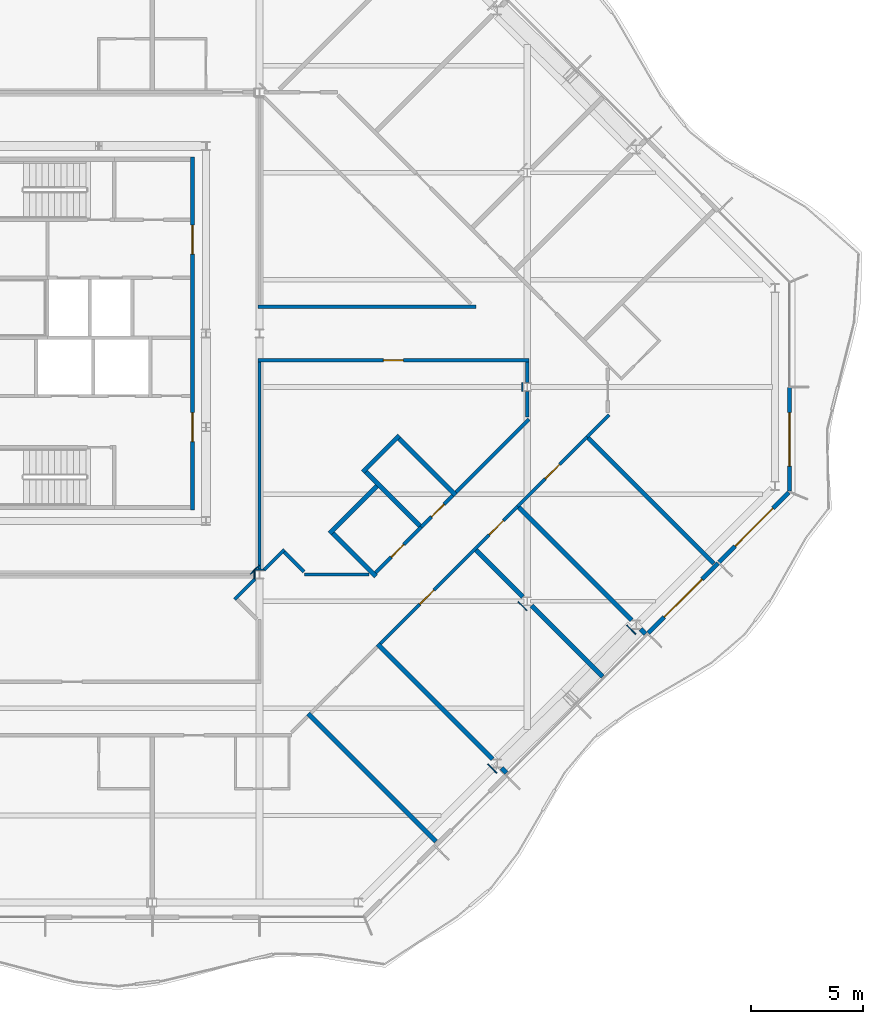
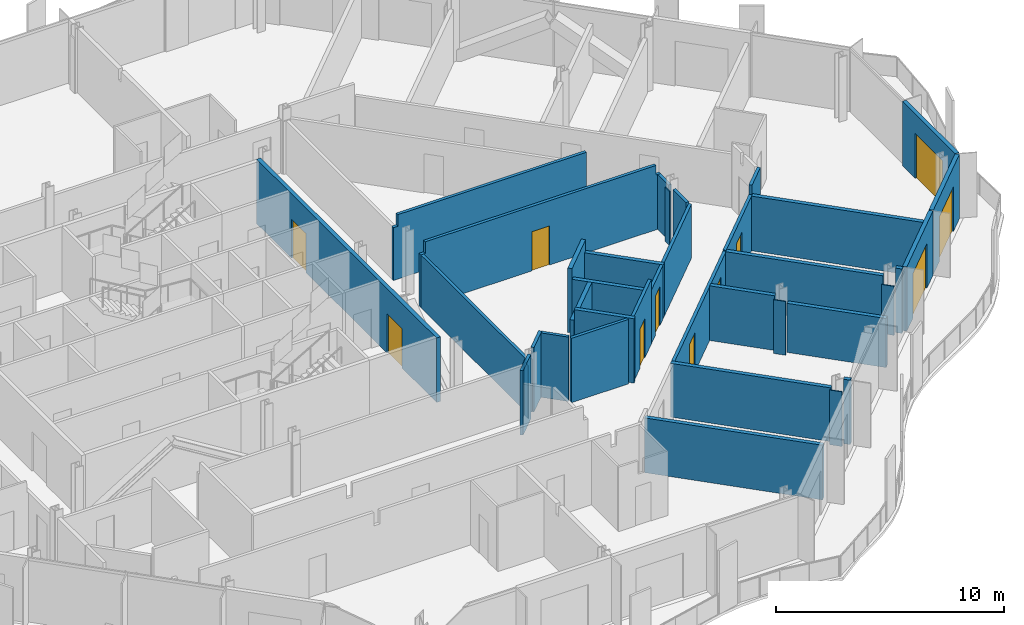
# One storey, part 9 of 17: 39 walls, 11 doors, 11 openings.
"""IFC4 building model written with IfcOpenShell, lengths in metres."""

from ifc_helpers import new_model, si_unit, direction, frame, frame_2d, origin, place, context, subcontext, project, spatial, polyline, rectangle, outline, extrude, material, layer, layer_set, type_object, element, fill, save


model = new_model("IFC4")

# Units and contexts
model_context = context("Model", 3, precision=1e-05, world=origin(), true_north=direction((0.0, 1.0)))
body_context = subcontext(model_context, "Body", "Model", "MODEL_VIEW")
ifc_project = project(units=[si_unit("LENGTHUNIT", "METRE"), si_unit("AREAUNIT", "SQUARE_METRE"), si_unit("VOLUMEUNIT", "CUBIC_METRE"), si_unit("PLANEANGLEUNIT", "RADIAN"), si_unit("MASSUNIT", "GRAM", prefix="KILO")], contexts=[model_context])

# Site, building, storey
site_placement = place(None, origin())
site = spatial("IfcSite", under=ifc_project, at=site_placement, CompositionType="ELEMENT")
building_placement = place(site_placement, origin())
building = spatial("IfcBuilding", under=site, at=building_placement, Name="Cairn Pilgrim Tower", CompositionType="ELEMENT")
storey_placement = place(building_placement, frame((0.0, 0.0, 243.0)))
storey = spatial("IfcBuildingStorey", under=building, at=storey_placement, Name="L62", CompositionType="ELEMENT", Elevation=243.0)

# Wall, opening, door
ifc_material_1 = material(Name="Bronze anodised aluminium insulated sandwich panel with mineral wool fill", Category="aluminium")
ifc_layer_1 = layer(ifc_material_1, 0.199951171875)
ifc_layer_set_1 = layer_set([ifc_layer_1], Name="BRONZE INFILL FRAME WALL 200")
wall_type_1 = type_object("IfcWallType", Name="BRONZE INFILL FRAME WALL 200", PredefinedType="NOTDEFINED", material=ifc_layer_set_1)
wall_1_placement = place(storey_placement, frame((36.6201171875, -11.0263671875, 0.0), z_axis=(0.0, 0.0, 1.0), x_axis=(0.707106781187, 0.707106781187, 0.0)))
wall_1 = element("IfcWall", 1, at=wall_1_placement, inside=storey, type_object=wall_type_1, Name="Bronze infill frame wall IW-SE5", PredefinedType="NOTDEFINED", context=body_context, shape_type="SweptSolid", body=[
    extrude(rectangle(XDim=4.430908203125, YDim=0.199951171875, at=frame_2d((2.21533203125, 0.0))), origin(), (0.0, 0.0, 1.0), 3.449951171875),
])
opening_1_placement = place(wall_1_placement, frame((1.01513671875, 0.0, 0.0)))
opening_1 = element("IfcOpeningElement", 2, at=opening_1_placement, cuts=wall_1, Name="Opening 6205B", PredefinedType="OPENING", context=body_context, shape_type="SweptSolid", body=[
    extrude(rectangle(XDim=2.39990234375, YDim=2.39990234375, at=frame_2d((1.199951171875, 1.199951171875))), frame((0.0, 0.10986328125, 0.0), z_axis=(0.0, -1.0, 0.0), x_axis=(1.0, 0.0, 0.0)), (0.0, 0.0, 1.0), 0.219970703125),
])
ifc_material_2 = material(Name="Bronze anodised aluminium frame with tinted low-E glass", Category="aluminium")
door_type_1 = type_object("IfcDoorType", Name="BALCONY SLIDING DOOR 2400x2400", OperationType="DOUBLE_DOOR_SLIDING", PredefinedType="DOOR", material=ifc_material_2)
door_1_placement = place(opening_1_placement, origin())
door_1 = element("IfcDoor", 3, at=door_1_placement, inside=storey, type_object=door_type_1, Name="Balcony sliding door 6205B", OperationType="SINGLE_SWING_LEFT", OverallHeight=2.39990234375, OverallWidth=2.39990234375, PredefinedType="DOOR", context=body_context, shape_type="SweptSolid", body=[
    extrude(rectangle(XDim=2.39990234375, YDim=2.39990234375, at=frame_2d((1.199951171875, 1.199951171875))), frame((0.0, 0.02490234375, 0.0), z_axis=(0.0, -1.0, 0.0), x_axis=(1.0, 0.0, 0.0)), (0.0, 0.0, 1.0), 0.050048828125),
])
fill(opening_1, door_1)

wall_2_placement = place(storey_placement, frame((39.795654296875, -7.850830078125, 0.0), z_axis=(0.0, 0.0, 1.0), x_axis=(0.707079168996, 0.707134392299, 0.0)))
wall_2 = element("IfcWall", 4, at=wall_2_placement, inside=storey, type_object=wall_type_1, Name="Bronze infill frame wall IW-SE6", PredefinedType="NOTDEFINED", context=body_context, shape_type="SweptSolid", body=[
    extrude(rectangle(XDim=4.4208984375, YDim=0.199951171875, at=frame_2d((2.21044921875, 0.0))), origin(), (0.0, 0.0, 1.0), 3.449951171875),
])
opening_2_placement = place(wall_2_placement, frame((1.015625, 0.0, 0.0)))
opening_2 = element("IfcOpeningElement", 5, at=opening_2_placement, cuts=wall_2, Name="Opening 6206B2", PredefinedType="OPENING", context=body_context, shape_type="SweptSolid", body=[
    extrude(rectangle(XDim=2.39990234375, YDim=2.39990234375, at=frame_2d((1.199951171875, 1.199951171875))), frame((0.0, 0.10986328125, 0.0), z_axis=(0.0, -1.0, 0.0), x_axis=(1.0, 0.0, 0.0)), (0.0, 0.0, 1.0), 0.219970703125),
])
door_2_placement = place(opening_2_placement, origin())
door_2 = element("IfcDoor", 6, at=door_2_placement, inside=storey, type_object=door_type_1, Name="Balcony sliding door 6206B2", OperationType="SINGLE_SWING_LEFT", OverallHeight=2.39990234375, OverallWidth=2.39990234375, PredefinedType="DOOR", context=body_context, shape_type="SweptSolid", body=[
    extrude(rectangle(XDim=2.39990234375, YDim=2.39990234375, at=frame_2d((1.199951171875, 1.199951171875))), frame((0.0, 0.02490234375, 0.0), z_axis=(0.0, -1.0, 0.0), x_axis=(1.0, 0.0, 0.0)), (0.0, 0.0, 1.0), 0.050048828125),
])
fill(opening_2, door_2)

wall_3_placement = place(storey_placement, frame((42.949951171875, -4.656494140625, 0.0), z_axis=(0.0, 0.0, 1.0), x_axis=(0.0, 1.0, 0.0)))
wall_3 = element("IfcWall", 7, at=wall_3_placement, inside=storey, type_object=wall_type_1, Name="Bronze infill frame wall IW-E1", PredefinedType="NOTDEFINED", context=body_context, shape_type="SweptSolid", body=[
    extrude(rectangle(XDim=4.62646484375, YDim=0.199951171875, at=frame_2d((2.313232421875, 0.0))), origin(), (0.0, 0.0, 1.0), 3.449951171875),
])
opening_3_placement = place(wall_3_placement, frame((1.1083984375, 0.0, 0.0)))
opening_3 = element("IfcOpeningElement", 8, at=opening_3_placement, cuts=wall_3, Name="Opening 6206B", PredefinedType="OPENING", context=body_context, shape_type="SweptSolid", body=[
    extrude(rectangle(XDim=2.39990234375, YDim=2.39990234375, at=frame_2d((1.199951171875, 1.199951171875))), frame((0.0, 0.10986328125, 0.0), z_axis=(0.0, -1.0, 0.0), x_axis=(1.0, 0.0, 0.0)), (0.0, 0.0, 1.0), 0.219970703125),
])
door_3_placement = place(opening_3_placement, origin())
door_3 = element("IfcDoor", 9, at=door_3_placement, inside=storey, type_object=door_type_1, Name="Balcony sliding door 6206B", OperationType="SINGLE_SWING_LEFT", OverallHeight=2.39990234375, OverallWidth=2.39990234375, PredefinedType="DOOR", context=body_context, shape_type="SweptSolid", body=[
    extrude(rectangle(XDim=2.39990234375, YDim=2.39990234375, at=frame_2d((1.199951171875, 1.199951171875))), frame((0.0, 0.02490234375, 0.0), z_axis=(0.0, -1.0, 0.0), x_axis=(1.0, 0.0, 0.0)), (0.0, 0.0, 1.0), 0.050048828125),
])
fill(opening_3, door_3)

# Wall, openings, doors
ifc_material_3 = material(Name="Concrete C32/40", Category="concrete")
ifc_layer_2 = layer(ifc_material_3, 0.199951171875)
ifc_layer_set_2 = layer_set([ifc_layer_2], Name="CORE OUTER WALL 200 EI 120")
wall_type_2 = type_object("IfcWallType", Name="CORE OUTER WALL 200 EI 120", PredefinedType="SOLIDWALL", material=ifc_layer_set_2)
wall_4_placement = place(storey_placement, frame((16.199951171875, -5.5, 0.0), z_axis=(0.0, 0.0, 1.0), x_axis=(0.0, 1.0, 0.0)))
wall_4 = element("IfcWall", 10, at=wall_4_placement, inside=storey, type_object=wall_type_2, Name="CW:L62:V30", PredefinedType="SOLIDWALL", context=body_context, shape_type="SweptSolid", body=[
    extrude(rectangle(XDim=15.800048828125, YDim=0.199951171875, at=frame_2d((7.89990234375, 0.0))), origin(), (0.0, 0.0, 1.0), 3.449951171875),
])
opening_4_placement = place(wall_4_placement, frame((3.050048828125, 0.0, 0.0)))
opening_4 = element("IfcOpeningElement", 11, at=opening_4_placement, cuts=wall_4, Name="Opening CD-E1", PredefinedType="OPENING", context=body_context, shape_type="SweptSolid", body=[
    extrude(rectangle(XDim=1.300048828125, YDim=2.10009765625, at=frame_2d((0.64990234375, 1.050048828125))), frame((0.0, 0.10986328125, 0.0), z_axis=(0.0, -1.0, 0.0), x_axis=(1.0, 0.0, 0.0)), (0.0, 0.0, 1.0), 0.219970703125),
])
opening_5_placement = place(wall_4_placement, frame((11.449951171875, 0.0, 0.0)))
opening_5 = element("IfcOpeningElement", 12, at=opening_5_placement, cuts=wall_4, Name="Opening CD-E2", PredefinedType="OPENING", context=body_context, shape_type="SweptSolid", body=[
    extrude(rectangle(XDim=1.300048828125, YDim=2.10009765625, at=frame_2d((0.64990234375, 1.050048828125))), frame((0.0, 0.10986328125, 0.0), z_axis=(0.0, -1.0, 0.0), x_axis=(1.0, 0.0, 0.0)), (0.0, 0.0, 1.0), 0.219970703125),
])
ifc_material_4 = material(Name="Painted steel", Category="steel")
door_type_2 = type_object("IfcDoorType", Name="CORE LOBBY DOOR 1300x2100", OperationType="DOUBLE_DOOR_SINGLE_SWING", PredefinedType="DOOR", material=ifc_material_4)
door_4_placement = place(opening_4_placement, origin())
door_4 = element("IfcDoor", 13, at=door_4_placement, inside=storey, type_object=door_type_2, Name="CD-E1", OperationType="DOUBLE_DOOR_SINGLE_SWING", OverallHeight=2.10009765625, OverallWidth=1.300048828125, PredefinedType="DOOR", context=body_context, shape_type="SweptSolid", body=[
    extrude(rectangle(XDim=1.300048828125, YDim=2.10009765625, at=frame_2d((0.64990234375, 1.050048828125))), frame((0.0, 0.02490234375, 0.0), z_axis=(0.0, -1.0, 0.0), x_axis=(1.0, 0.0, 0.0)), (0.0, 0.0, 1.0), 0.050048828125),
])
fill(opening_4, door_4)
door_5_placement = place(opening_5_placement, origin())
door_5 = element("IfcDoor", 14, at=door_5_placement, inside=storey, type_object=door_type_2, Name="CD-E2", OperationType="DOUBLE_DOOR_SINGLE_SWING", OverallHeight=2.10009765625, OverallWidth=1.300048828125, PredefinedType="DOOR", context=body_context, shape_type="SweptSolid", body=[
    extrude(rectangle(XDim=1.300048828125, YDim=2.10009765625, at=frame_2d((0.64990234375, 1.050048828125))), frame((0.0, 0.02490234375, 0.0), z_axis=(0.0, -1.0, 0.0), x_axis=(1.0, 0.0, 0.0)), (0.0, 0.0, 1.0), 0.050048828125),
])
fill(opening_5, door_5)

ifc_material_5 = material(Name="Gypsum partition")
ifc_layer_3 = layer(ifc_material_5, 0.14990234375)
ifc_layer_set_3 = layer_set([ifc_layer_3], Name="PARTITION 150 DRYWALL EI 60")
wall_type_3 = type_object("IfcWallType", Name="PARTITION 150 DRYWALL EI 60", PredefinedType="PARTITIONING", material=ifc_layer_set_3)
wall_5_placement = place(storey_placement, frame((24.61865234375, -11.501220703125, 0.0), z_axis=(0.0, 0.0, 1.0), x_axis=(0.707106781187, 0.707106781187, 0.0)))
wall_5 = element("IfcWall", 15, at=wall_5_placement, inside=storey, type_object=wall_type_3, Name="PARTITION W022", PredefinedType="PARTITIONING", context=body_context, shape_type="SweptSolid", body=[
    extrude(rectangle(XDim=8.7021484375, YDim=0.14990234375, at=frame_2d((4.35107421875, 0.0))), origin(), (0.0, 0.0, 1.0), 2.8798828125),
])
opening_6_placement = place(wall_5_placement, frame((2.4990234375, 0.0, 0.0)))
opening_6 = element("IfcOpeningElement", 16, at=opening_6_placement, cuts=wall_5, Name="Opening 6203", PredefinedType="OPENING", context=body_context, shape_type="SweptSolid", body=[
    extrude(rectangle(XDim=0.89990234375, YDim=2.10009765625, at=frame_2d((0.449951171875, 1.050048828125))), frame((0.0, 0.0849609375, 0.0), z_axis=(0.0, -1.0, 0.0), x_axis=(1.0, 0.0, 0.0)), (0.0, 0.0, 1.0), 0.169921875),
])
opening_7_placement = place(wall_5_placement, frame((6.900146484375, 0.0, 0.0)))
opening_7 = element("IfcOpeningElement", 17, at=opening_7_placement, cuts=wall_5, Name="Opening 6204", PredefinedType="OPENING", context=body_context, shape_type="SweptSolid", body=[
    extrude(rectangle(XDim=0.89990234375, YDim=2.10009765625, at=frame_2d((0.449951171875, 1.050048828125))), frame((0.0, 0.0849609375, 0.0), z_axis=(0.0, -1.0, 0.0), x_axis=(1.0, 0.0, 0.0)), (0.0, 0.0, 1.0), 0.169921875),
])
ifc_material_6 = material(Name="Timber door leaf", Category="wood")
door_type_3 = type_object("IfcDoorType", Name="SERVICE DOOR 900x2100 FD30S", OperationType="NOTDEFINED", PredefinedType="DOOR", material=ifc_material_6)
door_6_placement = place(opening_6_placement, frame((0.89990234375, 0.0, 0.0), z_axis=(0.0, 0.0, 1.0), x_axis=(-1.0, 0.0, 0.0)))
door_6 = element("IfcDoor", 18, at=door_6_placement, inside=storey, type_object=door_type_3, Name="DOOR 6203", OperationType="SINGLE_SWING_RIGHT", OverallHeight=2.10009765625, OverallWidth=0.89990234375, PredefinedType="DOOR", context=body_context, shape_type="SweptSolid", body=[
    extrude(rectangle(XDim=0.89990234375, YDim=2.10009765625, at=frame_2d((0.449951171875, 1.050048828125))), frame((0.0, 0.02490234375, 0.0), z_axis=(0.0, -1.0, 0.0), x_axis=(1.0, 0.0, 0.0)), (0.0, 0.0, 1.0), 0.050048828125),
])
fill(opening_6, door_6)
door_7_placement = place(opening_7_placement, frame((0.89990234375, 0.0, 0.0), z_axis=(0.0, 0.0, 1.0), x_axis=(-1.0, 0.0, 0.0)))
door_7 = element("IfcDoor", 19, at=door_7_placement, inside=storey, type_object=door_type_3, Name="DOOR 6204", OperationType="SINGLE_SWING_RIGHT", OverallHeight=2.10009765625, OverallWidth=0.89990234375, PredefinedType="DOOR", context=body_context, shape_type="SweptSolid", body=[
    extrude(rectangle(XDim=0.89990234375, YDim=2.10009765625, at=frame_2d((0.449951171875, 1.050048828125))), frame((0.0, 0.02490234375, 0.0), z_axis=(0.0, -1.0, 0.0), x_axis=(1.0, 0.0, 0.0)), (0.0, 0.0, 1.0), 0.050048828125),
])
fill(opening_7, door_7)

# Walls
wall_6_placement = place(storey_placement, frame((18.0859375, -9.513916015625, 0.0), z_axis=(0.0, 0.0, 1.0), x_axis=(0.707200419109, 0.707013130862, 0.0)))
element("IfcWall", 20, at=wall_6_placement, inside=storey, type_object=wall_type_3, Name="PARTITION W027", PredefinedType="PARTITIONING", context=body_context, shape_type="SweptSolid", body=[
    extrude(rectangle(XDim=1.303466796875, YDim=0.14990234375, at=frame_2d((0.65185546875, 0.0))), origin(), (0.0, 0.0, 1.0), 3.449951171875),
])
wall_7_placement = place(storey_placement, frame((21.215087890625, -8.39990234375, 0.0), z_axis=(0.0, 0.0, 1.0), x_axis=(1.0, 0.0, 0.0)))
element("IfcWall", 21, at=wall_7_placement, inside=storey, type_object=wall_type_3, Name="PARTITION W033", PredefinedType="PARTITIONING", context=body_context, shape_type="SweptSolid", body=[
    extrude(rectangle(XDim=2.89453125, YDim=0.14990234375, at=frame_2d((1.447265625, 0.0))), origin(), (0.0, 0.0, 1.0), 3.449951171875),
])
wall_8_placement = place(storey_placement, frame((21.193115234375, -8.27197265625, 0.0), z_axis=(0.0, 0.0, 1.0), x_axis=(-0.706812296552, 0.70740114323, 0.0)))
element("IfcWall", 22, at=wall_8_placement, inside=storey, type_object=wall_type_3, Name="PARTITION W034", PredefinedType="PARTITIONING", context=body_context, shape_type="SweptSolid", body=[
    extrude(rectangle(XDim=1.243896484375, YDim=0.14990234375, at=frame_2d((0.6220703125, 0.0))), origin(), (0.0, 0.0, 1.0), 3.449951171875),
])

# Wall, opening, door
wall_9_placement = place(storey_placement, frame((24.396728515625, -8.329345703125, 0.0), z_axis=(0.0, 0.0, 1.0), x_axis=(0.707275119896, 0.706938402391, 0.0)))
wall_9 = element("IfcWall", 23, at=wall_9_placement, inside=storey, type_object=wall_type_3, Name="PARTITION W035", PredefinedType="PARTITIONING", context=body_context, shape_type="SweptSolid", body=[
    extrude(rectangle(XDim=2.900146484375, YDim=0.14990234375, at=frame_2d((1.4501953125, 0.0))), origin(), (0.0, 0.0, 1.0), 3.449951171875),
])
opening_8_placement = place(wall_9_placement, frame((1.0, 0.0, 0.0)))
opening_8 = element("IfcOpeningElement", 24, at=opening_8_placement, cuts=wall_9, Name="Opening 6216", PredefinedType="OPENING", context=body_context, shape_type="SweptSolid", body=[
    extrude(rectangle(XDim=0.800048828125, YDim=2.10009765625, at=frame_2d((0.39990234375, 1.050048828125))), frame((0.0, 0.0849609375, 0.0), z_axis=(0.0, -1.0, 0.0), x_axis=(1.0, 0.0, 0.0)), (0.0, 0.0, 1.0), 0.169921875),
])
door_type_4 = type_object("IfcDoorType", Name="WC DOOR 800x2100 FD30S", OperationType="NOTDEFINED", PredefinedType="DOOR", material=ifc_material_6)
door_8_placement = place(opening_8_placement, origin())
door_8 = element("IfcDoor", 25, at=door_8_placement, inside=storey, type_object=door_type_4, Name="DOOR 6216", OperationType="SINGLE_SWING_LEFT", OverallHeight=2.10009765625, OverallWidth=0.800048828125, PredefinedType="DOOR", context=body_context, shape_type="SweptSolid", body=[
    extrude(rectangle(XDim=0.800048828125, YDim=2.10009765625, at=frame_2d((0.39990234375, 1.050048828125))), frame((0.0, 0.02490234375, 0.0), z_axis=(0.0, -1.0, 0.0), x_axis=(1.0, 0.0, 0.0)), (0.0, 0.0, 1.0), 0.050048828125),
])
fill(opening_8, door_8)

# Walls
wall_10_placement = place(storey_placement, frame((19.199951171875, -8.21240234375, 0.0), z_axis=(0.0, 0.0, 1.0), x_axis=(0.0, 1.0, 0.0)))
element("IfcWall", 26, at=wall_10_placement, inside=storey, type_object=wall_type_3, Name="PARTITION W037", PredefinedType="PARTITIONING", context=body_context, shape_type="SweptSolid", body=[
    extrude(rectangle(XDim=9.33740234375, YDim=0.14990234375, at=frame_2d((4.668701171875, 0.0))), origin(), (0.0, 0.0, 1.0), 2.830078125),
])
wall_11_placement = place(storey_placement, frame((19.392333984375, -8.207763671875, 0.0), z_axis=(0.0, 0.0, 1.0), x_axis=(0.707106781187, 0.707106781187, 0.0)))
element("IfcWall", 27, at=wall_11_placement, inside=storey, type_object=wall_type_3, Name="PARTITION W038", PredefinedType="PARTITIONING", context=body_context, shape_type="SweptSolid", body=[
    extrude(rectangle(XDim=1.3037109375, YDim=0.14990234375, at=frame_2d((0.65185546875, 0.0))), origin(), (0.0, 0.0, 1.0), 3.449951171875),
])

# Wall, opening, door
wall_12_placement = place(storey_placement, frame((26.447998046875, -6.279052734375, 0.0), z_axis=(0.0, 0.0, 1.0), x_axis=(0.707106781187, 0.707106781187, 0.0)))
wall_12 = element("IfcWall", 28, at=wall_12_placement, inside=storey, type_object=wall_type_3, Name="PARTITION W041", PredefinedType="PARTITIONING", context=body_context, shape_type="SweptSolid", body=[
    extrude(rectangle(XDim=2.000244140625, YDim=0.14990234375, at=frame_2d((1.0, 0.0))), origin(), (0.0, 0.0, 1.0), 2.8798828125),
])
opening_9_placement = place(wall_12_placement, frame((0.64990234375, 0.0, 0.0)))
opening_9 = element("IfcOpeningElement", 29, at=opening_9_placement, cuts=wall_12, Name="Opening 6217", PredefinedType="OPENING", context=body_context, shape_type="SweptSolid", body=[
    extrude(rectangle(XDim=0.800048828125, YDim=2.10009765625, at=frame_2d((0.39990234375, 1.050048828125))), frame((0.0, 0.0849609375, 0.0), z_axis=(0.0, -1.0, 0.0), x_axis=(1.0, 0.0, 0.0)), (0.0, 0.0, 1.0), 0.169921875),
])
door_9_placement = place(opening_9_placement, origin())
door_9 = element("IfcDoor", 30, at=door_9_placement, inside=storey, type_object=door_type_4, Name="DOOR 6217", OperationType="SINGLE_SWING_LEFT", OverallHeight=2.10009765625, OverallWidth=0.800048828125, PredefinedType="DOOR", context=body_context, shape_type="SweptSolid", body=[
    extrude(rectangle(XDim=0.800048828125, YDim=2.10009765625, at=frame_2d((0.39990234375, 1.050048828125))), frame((0.0, 0.02490234375, 0.0), z_axis=(0.0, -1.0, 0.0), x_axis=(1.0, 0.0, 0.0)), (0.0, 0.0, 1.0), 0.050048828125),
])
fill(opening_9, door_9)

wall_13_placement = place(storey_placement, frame((30.77197265625, -5.347900390625, 0.0), z_axis=(0.0, 0.0, 1.0), x_axis=(0.70724543229, 0.706968102891, 0.0)))
wall_13 = element("IfcWall", 31, at=wall_13_placement, inside=storey, type_object=wall_type_3, Name="PARTITION W045", PredefinedType="PARTITIONING", context=body_context, shape_type="SweptSolid", body=[
    extrude(rectangle(XDim=4.401611328125, YDim=0.14990234375, at=frame_2d((2.20068359375, 0.0))), origin(), (0.0, 0.0, 1.0), 2.929931640625),
])
opening_10_placement = place(wall_13_placement, frame((1.750732421875, 0.0, 0.0)))
opening_10 = element("IfcOpeningElement", 32, at=opening_10_placement, cuts=wall_13, Name="Opening 6205", PredefinedType="OPENING", context=body_context, shape_type="SweptSolid", body=[
    extrude(rectangle(XDim=0.89990234375, YDim=2.10009765625, at=frame_2d((0.449951171875, 1.050048828125))), frame((0.0, 0.0849609375, 0.0), z_axis=(0.0, -1.0, 0.0), x_axis=(1.0, 0.0, 0.0)), (0.0, 0.0, 1.0), 0.169921875),
])
door_10_placement = place(opening_10_placement, frame((0.89990234375, 0.0, 0.0), z_axis=(0.0, 0.0, 1.0), x_axis=(-1.0, 0.0, 0.0)))
door_10 = element("IfcDoor", 33, at=door_10_placement, inside=storey, type_object=door_type_3, Name="DOOR 6205", OperationType="SINGLE_SWING_RIGHT", OverallHeight=2.10009765625, OverallWidth=0.89990234375, PredefinedType="DOOR", context=body_context, shape_type="SweptSolid", body=[
    extrude(rectangle(XDim=0.89990234375, YDim=2.10009765625, at=frame_2d((0.449951171875, 1.050048828125))), frame((0.0, 0.02490234375, 0.0), z_axis=(0.0, -1.0, 0.0), x_axis=(1.0, 0.0, 0.0)), (0.0, 0.0, 1.0), 0.050048828125),
])
fill(opening_10, door_10)

# Walls
wall_14_placement = place(storey_placement, frame((28.003662109375, -4.723388671875, 0.0), z_axis=(0.0, 0.0, 1.0), x_axis=(0.706974860744, 0.707238677022, 0.0)))
element("IfcWall", 34, at=wall_14_placement, inside=storey, type_object=wall_type_3, Name="PARTITION W047", PredefinedType="PARTITIONING", context=body_context, shape_type="SweptSolid", body=[
    extrude(rectangle(XDim=4.627197265625, YDim=0.14990234375, at=frame_2d((2.3134765625, 0.0))), origin(), (0.0, 0.0, 1.0), 2.8798828125),
])
wall_15_placement = place(storey_placement, frame((33.885009765625, -2.236083984375, 0.0), z_axis=(0.0, 0.0, 1.0), x_axis=(0.707106781187, 0.707106781187, 0.0)))
element("IfcWall", 35, at=wall_15_placement, inside=storey, type_object=wall_type_3, Name="PARTITION W050", PredefinedType="PARTITIONING", context=body_context, shape_type="SweptSolid", body=[
    extrude(rectangle(XDim=1.400146484375, YDim=0.14990234375, at=frame_2d((0.7001953125, 0.0))), origin(), (0.0, 0.0, 1.0), 3.449951171875),
])
wall_16_placement = place(storey_placement, frame((31.199951171875, -1.344970703125, 0.0), z_axis=(0.0, 0.0, 1.0), x_axis=(0.0, 1.0, 0.0)))
element("IfcWall", 36, at=wall_16_placement, inside=storey, type_object=wall_type_3, Name="PARTITION W051", PredefinedType="PARTITIONING", context=body_context, shape_type="SweptSolid", body=[
    extrude(rectangle(XDim=1.1484375, YDim=0.14990234375, at=frame_2d((0.57421875, 0.0))), origin(), (0.0, 0.0, 1.0), 2.929931640625),
])
wall_17_placement = place(storey_placement, frame((31.199951171875, 0.196533203125, 0.0), z_axis=(0.0, 0.0, 1.0), x_axis=(0.0, 1.0, 0.0)))
element("IfcWall", 37, at=wall_17_placement, inside=storey, type_object=wall_type_3, Name="PARTITION W053", PredefinedType="PARTITIONING", context=body_context, shape_type="SweptSolid", body=[
    extrude(rectangle(XDim=0.928466796875, YDim=0.14990234375, at=frame_2d((0.46435546875, 0.0))), origin(), (0.0, 0.0, 1.0), 2.929931640625),
])

# Wall, opening, door
wall_18_placement = place(storey_placement, frame((19.125, 1.199951171875, 0.0), z_axis=(0.0, 0.0, 1.0), x_axis=(1.0, 0.0, 0.0)))
wall_18 = element("IfcWall", 38, at=wall_18_placement, inside=storey, type_object=wall_type_3, Name="PARTITION W057", PredefinedType="PARTITIONING", context=body_context, shape_type="SweptSolid", body=[
    extrude(outline(polyline([(0.0, 0.0), (12.14990234375, 0.0), (12.14990234375, 2.929931640625), (11.925048828125, 2.929931640625), (11.923095703125, 3.449951171875), (0.22509765625, 3.449951171875), (0.222900390625, 2.830078125), (0.0, 2.830078125), (0.0, 0.0)])), frame((0.0, 0.074951171875, 0.0), z_axis=(0.0, -1.0, 0.0), x_axis=(1.0, 0.0, 0.0)), (0.0, 0.0, 1.0), 0.14990234375),
])
opening_11_placement = place(wall_18_placement, frame((5.625, 0.0, 0.0)))
opening_11 = element("IfcOpeningElement", 39, at=opening_11_placement, cuts=wall_18, Name="Opening 6218", PredefinedType="OPENING", context=body_context, shape_type="SweptSolid", body=[
    extrude(rectangle(XDim=0.89990234375, YDim=2.10009765625, at=frame_2d((0.449951171875, 1.050048828125))), frame((0.0, 0.0849609375, 0.0), z_axis=(0.0, -1.0, 0.0), x_axis=(1.0, 0.0, 0.0)), (0.0, 0.0, 1.0), 0.169921875),
])
door_11_placement = place(opening_11_placement, frame((0.89990234375, 0.0, 0.0), z_axis=(0.0, 0.0, 1.0), x_axis=(-1.0, 0.0, 0.0)))
door_11 = element("IfcDoor", 40, at=door_11_placement, inside=storey, type_object=door_type_3, Name="DOOR 6218", OperationType="SINGLE_SWING_LEFT", OverallHeight=2.10009765625, OverallWidth=0.89990234375, PredefinedType="DOOR", context=body_context, shape_type="SweptSolid", body=[
    extrude(rectangle(XDim=0.89990234375, YDim=2.10009765625, at=frame_2d((0.449951171875, 1.050048828125))), frame((0.0, 0.02490234375, 0.0), z_axis=(0.0, -1.0, 0.0), x_axis=(1.0, 0.0, 0.0)), (0.0, 0.0, 1.0), 0.050048828125),
])
fill(opening_11, door_11)

# Walls
wall_19_placement = place(storey_placement, frame((19.125, 3.60009765625, 0.0), z_axis=(0.0, 0.0, 1.0), x_axis=(1.0, 0.0, 0.0)))
element("IfcWall", 41, at=wall_19_placement, inside=storey, type_object=wall_type_3, Name="PARTITION W062", PredefinedType="PARTITIONING", context=body_context, shape_type="SweptSolid", body=[
    extrude(outline(polyline([(0.0, 0.0), (9.781005859375, 0.0), (9.781005859375, 3.449951171875), (0.22509765625, 3.449951171875), (0.222900390625, 2.830078125), (0.0, 2.830078125), (0.0, 0.0)])), frame((0.0, 0.074951171875, 0.0), z_axis=(0.0, -1.0, 0.0), x_axis=(1.0, 0.0, 0.0)), (0.0, 0.0, 1.0), 0.14990234375),
])
ifc_layer_4 = layer(ifc_material_5, 0.050048828125)
ifc_layer_set_4 = layer_set([ifc_layer_4], Name="PARTITION 50 DRYWALL EI 60")
wall_type_4 = type_object("IfcWallType", Name="PARTITION 50 DRYWALL EI 60", PredefinedType="PARTITIONING", material=ifc_layer_set_4)
wall_20_placement = place(storey_placement, frame((29.833740234375, -17.298828125, 0.0), z_axis=(0.0, 0.0, 1.0), x_axis=(-0.707106781187, 0.707106781187, 0.0)))
element("IfcWall", 42, at=wall_20_placement, inside=storey, type_object=wall_type_4, Name="COLUMN CASING WC02", PredefinedType="PARTITIONING", context=body_context, shape_type="SweptSolid", body=[
    extrude(rectangle(XDim=0.573486328125, YDim=0.050048828125, at=frame_2d((0.28662109375, 0.0))), origin(), (0.0, 0.0, 1.0), 2.929931640625),
])
wall_21_placement = place(storey_placement, frame((31.182373046875, -10.013671875, 0.0), z_axis=(0.0, 0.0, 1.0), x_axis=(-0.707106781187, 0.707106781187, 0.0)))
element("IfcWall", 43, at=wall_21_placement, inside=storey, type_object=wall_type_4, Name="COLUMN CASING WC03", PredefinedType="PARTITIONING", context=body_context, shape_type="SweptSolid", body=[
    extrude(rectangle(XDim=0.56005859375, YDim=0.050048828125, at=frame_2d((0.280029296875, 0.0))), origin(), (0.0, 0.0, 1.0), 2.8798828125),
])
wall_22_placement = place(storey_placement, frame((36.05810546875, -11.07470703125, 0.0), z_axis=(0.0, 0.0, 1.0), x_axis=(-0.707106781187, 0.707106781187, 0.0)))
element("IfcWall", 44, at=wall_22_placement, inside=storey, type_object=wall_type_4, Name="COLUMN CASING WC04", PredefinedType="PARTITIONING", context=body_context, shape_type="SweptSolid", body=[
    extrude(rectangle(XDim=0.573486328125, YDim=0.050048828125, at=frame_2d((0.28662109375, 0.0))), origin(), (0.0, 0.0, 1.0), 2.6298828125),
])
wall_23_placement = place(storey_placement, frame((18.7978515625, -8.38232421875, 0.0), z_axis=(0.0, 0.0, 1.0), x_axis=(0.707106781187, 0.707106781187, 0.0)))
element("IfcWall", 45, at=wall_23_placement, inside=storey, type_object=wall_type_4, Name="COLUMN CASING WC06", PredefinedType="PARTITIONING", context=body_context, shape_type="SweptSolid", body=[
    extrude(rectangle(XDim=0.543701171875, YDim=0.050048828125, at=frame_2d((0.27197265625, 0.0))), origin(), (0.0, 0.0, 1.0), 2.830078125),
])
wall_24_placement = place(storey_placement, frame((19.0029296875, -8.1875, 0.0), z_axis=(0.0, 0.0, 1.0), x_axis=(1.0, 0.0, 0.0)))
element("IfcWall", 46, at=wall_24_placement, inside=storey, type_object=wall_type_4, Name="COLUMN CASING WC11", PredefinedType="PARTITIONING", context=body_context, shape_type="SweptSolid", body=[
    extrude(rectangle(XDim=0.39404296875, YDim=0.050048828125, at=frame_2d((0.197021484375, 0.0))), origin(), (0.0, 0.0, 1.0), 2.830078125),
])
wall_25_placement = place(storey_placement, frame((18.97802734375, -8.58740234375, 0.0), z_axis=(0.0, 0.0, 1.0), x_axis=(0.0, 1.0, 0.0)))
element("IfcWall", 47, at=wall_25_placement, inside=storey, type_object=wall_type_4, Name="COLUMN CASING WC12", PredefinedType="PARTITIONING", context=body_context, shape_type="SweptSolid", body=[
    extrude(rectangle(XDim=0.375, YDim=0.050048828125, at=frame_2d((0.1875, 0.0))), origin(), (0.0, 0.0, 1.0), 2.830078125),
])
wall_26_placement = place(storey_placement, frame((30.9755859375, -0.196533203125, 0.0), z_axis=(0.0, 0.0, 1.0), x_axis=(0.0, 1.0, 0.0)))
element("IfcWall", 48, at=wall_26_placement, inside=storey, type_object=wall_type_4, Name="COLUMN CASING WC13", PredefinedType="PARTITIONING", context=body_context, shape_type="SweptSolid", body=[
    extrude(rectangle(XDim=0.39306640625, YDim=0.050048828125, at=frame_2d((0.196533203125, 0.0))), origin(), (0.0, 0.0, 1.0), 2.8798828125),
])
ifc_layer_5 = layer(ifc_material_5, 0.199951171875)
ifc_layer_set_5 = layer_set([ifc_layer_5], Name="SHAFT WALL 200 GYPSUM EI 60")
wall_type_5 = type_object("IfcWallType", Name="SHAFT WALL 200 GYPSUM EI 60", PredefinedType="PARTITIONING", material=ifc_layer_set_5)
wall_27_placement = place(storey_placement, frame((27.107421875, -20.355224609375, 0.0), z_axis=(0.0, 0.0, 1.0), x_axis=(-0.707182179369, 0.707031374964, 0.0)))
element("IfcWall", 49, at=wall_27_placement, inside=storey, type_object=wall_type_5, Name="PARTITION W003", PredefinedType="PARTITIONING", context=body_context, shape_type="SweptSolid", body=[
    extrude(rectangle(XDim=8.0947265625, YDim=0.199951171875, at=frame_2d((4.04736328125, 0.0))), origin(), (0.0, 0.0, 1.0), 2.929931640625),
])
wall_28_placement = place(storey_placement, frame((30.268798828125, -17.292724609375, 0.0), z_axis=(0.0, 0.0, 1.0), x_axis=(-0.707509117806, 0.706704215511, 0.0)))
element("IfcWall", 50, at=wall_28_placement, inside=storey, type_object=wall_type_5, Name="PARTITION W009", PredefinedType="PARTITIONING", context=body_context, shape_type="SweptSolid", body=[
    extrude(rectangle(XDim=0.30322265625, YDim=0.199951171875, at=frame_2d((0.151611328125, 0.0))), origin(), (0.0, 0.0, 1.0), 3.449951171875),
])
wall_29_placement = place(storey_placement, frame((29.64892578125, -16.6728515625, 0.0), z_axis=(0.0, 0.0, 1.0), x_axis=(-0.707106781187, 0.707106781187, 0.0)))
element("IfcWall", 51, at=wall_29_placement, inside=storey, type_object=wall_type_5, Name="PARTITION W010", PredefinedType="PARTITIONING", context=body_context, shape_type="SweptSolid", body=[
    extrude(rectangle(XDim=7.28857421875, YDim=0.199951171875, at=frame_2d((3.644287109375, 0.0))), origin(), (0.0, 0.0, 1.0), 2.8798828125),
])
wall_30_placement = place(storey_placement, frame((34.580810546875, -12.980712890625, 0.0), z_axis=(0.0, 0.0, 1.0), x_axis=(-0.707133900936, 0.707079660397, 0.0)))
element("IfcWall", 52, at=wall_30_placement, inside=storey, type_object=wall_type_5, Name="PARTITION W021", PredefinedType="PARTITIONING", context=body_context, shape_type="SweptSolid", body=[
    extrude(rectangle(XDim=4.5009765625, YDim=0.199951171875, at=frame_2d((2.25048828125, 0.0))), origin(), (0.0, 0.0, 1.0), 2.6298828125),
])
wall_31_placement = place(storey_placement, frame((36.492919921875, -11.06884765625, 0.0), z_axis=(0.0, 0.0, 1.0), x_axis=(-0.707106781187, 0.707106781187, 0.0)))
element("IfcWall", 53, at=wall_31_placement, inside=storey, type_object=wall_type_5, Name="PARTITION W023", PredefinedType="PARTITIONING", context=body_context, shape_type="SweptSolid", body=[
    extrude(rectangle(XDim=0.303466796875, YDim=0.199951171875, at=frame_2d((0.15185546875, 0.0))), origin(), (0.0, 0.0, 1.0), 3.449951171875),
])
wall_32_placement = place(storey_placement, frame((35.872802734375, -10.448974609375, 0.0), z_axis=(0.0, 0.0, 1.0), x_axis=(-0.707089680867, 0.707123881093, 0.0)))
element("IfcWall", 54, at=wall_32_placement, inside=storey, type_object=wall_type_5, Name="PARTITION W026", PredefinedType="PARTITIONING", context=body_context, shape_type="SweptSolid", body=[
    extrude(rectangle(XDim=7.138671875, YDim=0.199951171875, at=frame_2d((3.5693359375, 0.0))), origin(), (0.0, 0.0, 1.0), 2.929931640625),
])
wall_33_placement = place(storey_placement, frame((31.001953125, -9.402099609375, 0.0), z_axis=(0.0, 0.0, 1.0), x_axis=(-0.707065460118, 0.70714809984, 0.0)))
element("IfcWall", 55, at=wall_33_placement, inside=storey, type_object=wall_type_5, Name="PARTITION W028", PredefinedType="PARTITIONING", context=body_context, shape_type="SweptSolid", body=[
    extrude(rectangle(XDim=2.954345703125, YDim=0.199951171875, at=frame_2d((1.47705078125, 0.0))), origin(), (0.0, 0.0, 1.0), 2.929931640625),
])
wall_34_placement = place(storey_placement, frame((24.408203125, -8.482421875, 0.0), z_axis=(0.0, 0.0, 1.0), x_axis=(-0.707061835578, 0.707151723938, 0.0)))
element("IfcWall", 56, at=wall_34_placement, inside=storey, type_object=wall_type_5, Name="PARTITION W029", PredefinedType="PARTITIONING", context=body_context, shape_type="SweptSolid", body=[
    extrude(rectangle(XDim=2.716064453125, YDim=0.199951171875, at=frame_2d((1.35791015625, 0.0))), origin(), (0.0, 0.0, 1.0), 3.449951171875),
])
wall_35_placement = place(storey_placement, frame((39.555419921875, -7.9072265625, 0.0), z_axis=(0.0, 0.0, 1.0), x_axis=(-0.707060685068, 0.7071528743, 0.0)))
element("IfcWall", 57, at=wall_35_placement, inside=storey, type_object=wall_type_5, Name="PARTITION W039", PredefinedType="PARTITIONING", context=body_context, shape_type="SweptSolid", body=[
    extrude(rectangle(XDim=7.94482421875, YDim=0.199951171875, at=frame_2d((3.972412109375, 0.0))), origin(), (0.0, 0.0, 1.0), 2.929931640625),
])
wall_36_placement = place(storey_placement, frame((22.34619140625, -6.561767578125, 0.0), z_axis=(0.0, 0.0, 1.0), x_axis=(0.707269502796, 0.706944022123, 0.0)))
element("IfcWall", 58, at=wall_36_placement, inside=storey, type_object=wall_type_5, Name="PARTITION W040", PredefinedType="PARTITIONING", context=body_context, shape_type="SweptSolid", body=[
    extrude(rectangle(XDim=3.00048828125, YDim=0.199951171875, at=frame_2d((1.500244140625, 0.0))), origin(), (0.0, 0.0, 1.0), 2.8798828125),
])
wall_37_placement = place(storey_placement, frame((26.39501953125, -6.22607421875, 0.0), z_axis=(0.0, 0.0, 1.0), x_axis=(-0.707106781187, 0.707106781187, 0.0)))
element("IfcWall", 59, at=wall_37_placement, inside=storey, type_object=wall_type_5, Name="PARTITION W042", PredefinedType="PARTITIONING", context=body_context, shape_type="SweptSolid", body=[
    extrude(rectangle(XDim=3.42578125, YDim=0.199951171875, at=frame_2d((1.712890625, 0.0))), origin(), (0.0, 0.0, 1.0), 2.8798828125),
])
wall_38_placement = place(storey_placement, frame((27.986083984375, -4.846923828125, 0.0), z_axis=(0.0, 0.0, 1.0), x_axis=(-0.707106781187, 0.707106781187, 0.0)))
element("IfcWall", 60, at=wall_38_placement, inside=storey, type_object=wall_type_5, Name="PARTITION W046", PredefinedType="PARTITIONING", context=body_context, shape_type="SweptSolid", body=[
    extrude(rectangle(XDim=3.57568359375, YDim=0.199951171875, at=frame_2d((1.787841796875, 0.0))), origin(), (0.0, 0.0, 1.0), 2.8798828125),
])
wall_39_placement = place(storey_placement, frame((23.831298828125, -3.8037109375, 0.0), z_axis=(0.0, 0.0, 1.0), x_axis=(0.707106781187, 0.707106781187, 0.0)))
element("IfcWall", 61, at=wall_39_placement, inside=storey, type_object=wall_type_5, Name="PARTITION W048", PredefinedType="PARTITIONING", context=body_context, shape_type="SweptSolid", body=[
    extrude(rectangle(XDim=2.300048828125, YDim=0.199951171875, at=frame_2d((1.14990234375, 0.0))), origin(), (0.0, 0.0, 1.0), 3.449951171875),
])

save(model, "model.ifc")
